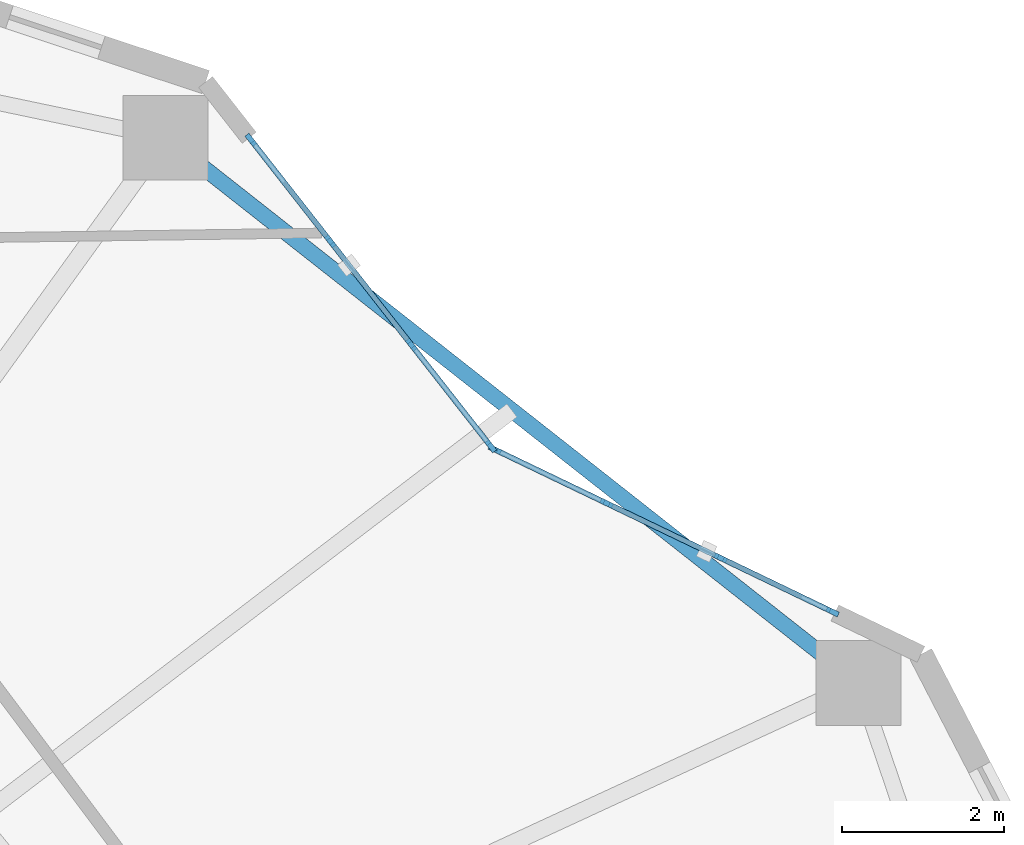
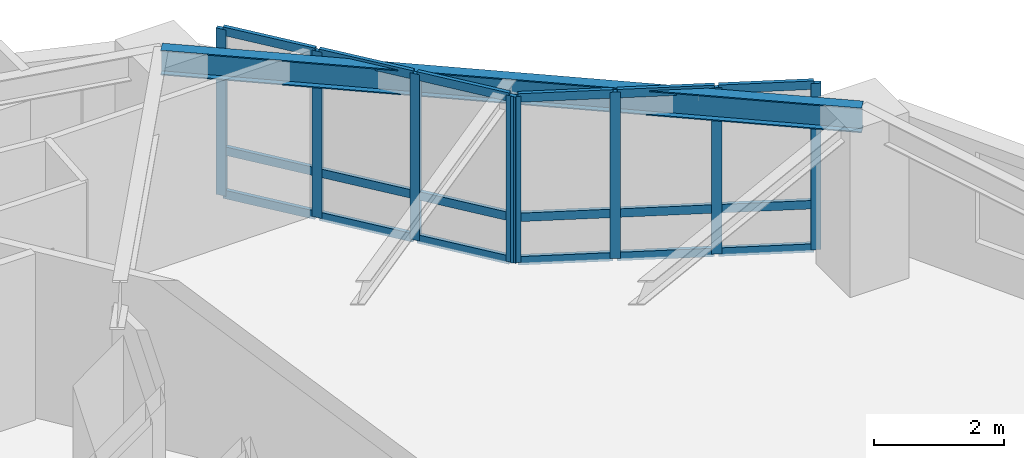
# One storey, part 6 of 19: 26 members, 1 beam, 2 elements without a shape of their own.
"""IFC4 building model written with IfcOpenShell, lengths in metres."""

from ifc_helpers import new_model, si_unit, direction, frame, origin, origin_2d, place, context, subcontext, project, spatial, rectangle, i_section, extrude, material, layer, layer_set, material_profile, profile_set, type_object, element, aggregate, save


model = new_model("IFC4")

# Units and contexts
model_context = context("Model", 3, precision=1e-05, world=origin(), true_north=direction((0.0, 1.0)))
body_context = subcontext(model_context, "Body", "Model", "MODEL_VIEW")
ifc_project = project(units=[si_unit("LENGTHUNIT", "METRE"), si_unit("AREAUNIT", "SQUARE_METRE"), si_unit("VOLUMEUNIT", "CUBIC_METRE"), si_unit("PLANEANGLEUNIT", "RADIAN"), si_unit("MASSUNIT", "GRAM", prefix="KILO")], contexts=[model_context])

# Site, building, storey
site_placement = place(None, origin())
site = spatial("IfcSite", under=ifc_project, at=site_placement, CompositionType="ELEMENT")
building_placement = place(site_placement, origin())
building = spatial("IfcBuilding", under=site, at=building_placement, Name="Kolvaren Gate Tower and Convention Centre", CompositionType="ELEMENT")
storey_placement = place(building_placement, frame((0.0, 0.0, 122.300048828125)))
storey = spatial("IfcBuildingStorey", under=building, at=storey_placement, Name="L30", CompositionType="ELEMENT", Elevation=122.300048828125)

# Curtain wall, members
ifc_material_1 = material(Name="Anodized Architectural Aluminium Alloy 6063-T6", Category="aluminium")
ifc_layer = layer(ifc_material_1, 0.159912109375)
ifc_layer_set = layer_set([ifc_layer], Name="Anodized Architectural Aluminium Alloy 6063-T6")
curtain_wall_type = type_object("IfcCurtainWallType", Name="CW-HTL-UNIT", PredefinedType="NOTDEFINED", material=ifc_layer_set)
curtain_wall_1_placement = place(storey_placement, origin())
curtain_wall_1 = element("IfcCurtainWall", 1, at=curtain_wall_1_placement, inside=storey, type_object=curtain_wall_type, Name="Tower L30 Unitised Curtain Wall CW-HTL-UNIT Bay 02", PredefinedType="NOTDEFINED")
ifc_material_profile_1 = material_profile(ifc_material_1, rectangle(XDim=0.06494140625, YDim=0.159912109375, at=origin_2d()), Name="CW-MEM-MUL-160")
ifc_profile_set_1 = profile_set([ifc_material_profile_1], Name="Anodized Architectural Aluminium Alloy 6063-T6")
member_type_1 = type_object("IfcMemberType", Name="CW-MEM-MUL-160", PredefinedType="MULLION", material=ifc_profile_set_1)
member_1_placement = place(storey_placement, frame((45.798095703125, 39.208984375, 0.0), z_axis=(0.0, 0.0, 1.0), x_axis=(0.433070515205, 0.901360043967, 0.0)))
member_1 = element("IfcMember", 2, at=member_1_placement, type_object=member_type_1, Name="CW-03 mullion 1", PredefinedType="MULLION", context=body_context, shape_type="SweptSolid", body=[
    extrude(rectangle(XDim=0.06494140625, YDim=0.159912109375, at=origin_2d()), origin(), (0.0, 0.0, 1.0), 3.1298828125),
])
member_2_placement = place(storey_placement, frame((47.181396484375, 38.544189453125, 0.0), z_axis=(0.0, 0.0, 1.0), x_axis=(0.433070515205, 0.901360043967, 0.0)))
member_2 = element("IfcMember", 3, at=member_2_placement, type_object=member_type_1, Name="CW-03 mullion 2", PredefinedType="MULLION", context=body_context, shape_type="SweptSolid", body=[
    extrude(rectangle(XDim=0.06494140625, YDim=0.159912109375, at=origin_2d()), origin(), (0.0, 0.0, 1.0), 3.1298828125),
])
member_3_placement = place(storey_placement, frame((48.59423828125, 37.865478515625, 0.0), z_axis=(0.0, 0.0, 1.0), x_axis=(0.433070515205, 0.901360043967, 0.0)))
member_3 = element("IfcMember", 4, at=member_3_placement, type_object=member_type_1, Name="CW-03 mullion 3", PredefinedType="MULLION", context=body_context, shape_type="SweptSolid", body=[
    extrude(rectangle(XDim=0.06494140625, YDim=0.159912109375, at=origin_2d()), origin(), (0.0, 0.0, 1.0), 3.1298828125),
])
member_4_placement = place(storey_placement, frame((49.9775390625, 37.20068359375, 0.0), z_axis=(0.0, 0.0, 1.0), x_axis=(0.433070515205, 0.901360043967, 0.0)))
member_4 = element("IfcMember", 5, at=member_4_placement, type_object=member_type_1, Name="CW-03 mullion 4", PredefinedType="MULLION", context=body_context, shape_type="SweptSolid", body=[
    extrude(rectangle(XDim=0.06494140625, YDim=0.159912109375, at=origin_2d()), origin(), (0.0, 0.0, 1.0), 3.1298828125),
])

curtain_wall_2_placement = place(storey_placement, origin())
curtain_wall_2 = element("IfcCurtainWall", 6, at=curtain_wall_2_placement, inside=storey, type_object=curtain_wall_type, Name="Tower L30 Unitised Curtain Wall CW-HTL-UNIT Bay 03", PredefinedType="NOTDEFINED")
member_5_placement = place(storey_placement, frame((42.77880859375, 43.042236328125, 0.0), z_axis=(0.0, 0.0, 1.0), x_axis=(0.787412940513, 0.616425876414, 0.0)))
member_5 = element("IfcMember", 7, at=member_5_placement, type_object=member_type_1, Name="CW-03 mullion 1", PredefinedType="MULLION", context=body_context, shape_type="SweptSolid", body=[
    extrude(rectangle(XDim=0.06494140625, YDim=0.159912109375, at=origin_2d()), origin(), (0.0, 0.0, 1.0), 3.1298828125),
])
member_6_placement = place(storey_placement, frame((43.76220703125, 41.7861328125, 0.0), z_axis=(0.0, 0.0, 1.0), x_axis=(0.787412940513, 0.616425876414, 0.0)))
member_6 = element("IfcMember", 8, at=member_6_placement, type_object=member_type_1, Name="CW-03 mullion 2", PredefinedType="MULLION", context=body_context, shape_type="SweptSolid", body=[
    extrude(rectangle(XDim=0.06494140625, YDim=0.159912109375, at=origin_2d()), origin(), (0.0, 0.0, 1.0), 3.1298828125),
])
member_7_placement = place(storey_placement, frame((44.765380859375, 40.504638671875, 0.0), z_axis=(0.0, 0.0, 1.0), x_axis=(0.787412940513, 0.616425876414, 0.0)))
member_7 = element("IfcMember", 9, at=member_7_placement, type_object=member_type_1, Name="CW-03 mullion 3", PredefinedType="MULLION", context=body_context, shape_type="SweptSolid", body=[
    extrude(rectangle(XDim=0.06494140625, YDim=0.159912109375, at=origin_2d()), origin(), (0.0, 0.0, 1.0), 3.1298828125),
])
member_8_placement = place(storey_placement, frame((45.748779296875, 39.24853515625, 0.0), z_axis=(0.0, 0.0, 1.0), x_axis=(0.787412940513, 0.616425876414, 0.0)))
member_8 = element("IfcMember", 10, at=member_8_placement, type_object=member_type_1, Name="CW-03 mullion 4", PredefinedType="MULLION", context=body_context, shape_type="SweptSolid", body=[
    extrude(rectangle(XDim=0.06494140625, YDim=0.159912109375, at=origin_2d()), origin(), (0.0, 0.0, 1.0), 3.1298828125),
])

# Member
ifc_material_profile_2 = material_profile(ifc_material_1, rectangle(XDim=0.06494140625, YDim=0.159912109375, at=origin_2d()), Name="CW-MEM-TRN-160")
ifc_profile_set_2 = profile_set([ifc_material_profile_2], Name="Anodized Architectural Aluminium Alloy 6063-T6")
member_type_2 = type_object("IfcMemberType", Name="CW-MEM-TRN-160", PredefinedType="USERDEFINED", material=ifc_profile_set_2)
member_9_placement = place(storey_placement, frame((45.827392578125, 39.19482421875, 0.032470703125), z_axis=(0.901359682886, -0.433071266731, 0.0), x_axis=(0.433071266731, 0.901359682886, 0.0)))
member_9 = element("IfcMember", 11, at=member_9_placement, type_object=member_type_2, Name="CW-03 transom 1.1", ObjectType="TRANSOM", PredefinedType="USERDEFINED", context=body_context, shape_type="SweptSolid", body=[
    extrude(rectangle(XDim=0.06494140625, YDim=0.159912109375, at=origin_2d()), origin(), (0.0, 0.0, 1.0), 1.4697265625),
])

member_10_placement = place(storey_placement, frame((45.827392578125, 39.19482421875, 0.849853515625), z_axis=(0.901359682886, -0.433071266731, 0.0), x_axis=(0.433071266731, 0.901359682886, 0.0)))
member_10 = element("IfcMember", 12, at=member_10_placement, type_object=member_type_2, Name="CW-03 transom 1.2", ObjectType="TRANSOM", PredefinedType="USERDEFINED", context=body_context, shape_type="SweptSolid", body=[
    extrude(rectangle(XDim=0.06494140625, YDim=0.159912109375, at=origin_2d()), origin(), (0.0, 0.0, 1.0), 1.4697265625),
])

member_11_placement = place(storey_placement, frame((45.827392578125, 39.19482421875, 3.097412109375), z_axis=(0.901359682886, -0.433071266731, 0.0), x_axis=(0.433071266731, 0.901359682886, 0.0)))
member_11 = element("IfcMember", 13, at=member_11_placement, type_object=member_type_2, Name="CW-03 transom 1.3", ObjectType="TRANSOM", PredefinedType="USERDEFINED", context=body_context, shape_type="SweptSolid", body=[
    extrude(rectangle(XDim=0.06494140625, YDim=0.159912109375, at=origin_2d()), origin(), (0.0, 0.0, 1.0), 1.4697265625),
])

member_12_placement = place(storey_placement, frame((47.210693359375, 38.5302734375, 0.032470703125), z_axis=(0.901368321762, -0.43305328601, 0.0), x_axis=(0.43305328601, 0.901368321762, 0.0)))
member_12 = element("IfcMember", 14, at=member_12_placement, type_object=member_type_2, Name="CW-03 transom 2.1", ObjectType="TRANSOM", PredefinedType="USERDEFINED", context=body_context, shape_type="SweptSolid", body=[
    extrude(rectangle(XDim=0.06494140625, YDim=0.159912109375, at=origin_2d()), origin(), (0.0, 0.0, 1.0), 1.50244140625),
])

member_13_placement = place(storey_placement, frame((47.210693359375, 38.5302734375, 0.849853515625), z_axis=(0.901368321762, -0.43305328601, 0.0), x_axis=(0.43305328601, 0.901368321762, 0.0)))
member_13 = element("IfcMember", 15, at=member_13_placement, type_object=member_type_2, Name="CW-03 transom 2.2", ObjectType="TRANSOM", PredefinedType="USERDEFINED", context=body_context, shape_type="SweptSolid", body=[
    extrude(rectangle(XDim=0.06494140625, YDim=0.159912109375, at=origin_2d()), origin(), (0.0, 0.0, 1.0), 1.50244140625),
])

member_14_placement = place(storey_placement, frame((47.210693359375, 38.5302734375, 3.097412109375), z_axis=(0.901368321762, -0.43305328601, 0.0), x_axis=(0.43305328601, 0.901368321762, 0.0)))
member_14 = element("IfcMember", 16, at=member_14_placement, type_object=member_type_2, Name="CW-03 transom 2.3", ObjectType="TRANSOM", PredefinedType="USERDEFINED", context=body_context, shape_type="SweptSolid", body=[
    extrude(rectangle(XDim=0.06494140625, YDim=0.159912109375, at=origin_2d()), origin(), (0.0, 0.0, 1.0), 1.50244140625),
])

member_15_placement = place(storey_placement, frame((48.62353515625, 37.851318359375, 0.032470703125), z_axis=(0.901359682886, -0.433071266731, 0.0), x_axis=(0.433071266731, 0.901359682886, 0.0)))
member_15 = element("IfcMember", 17, at=member_15_placement, type_object=member_type_2, Name="CW-03 transom 3.1", ObjectType="TRANSOM", PredefinedType="USERDEFINED", context=body_context, shape_type="SweptSolid", body=[
    extrude(rectangle(XDim=0.06494140625, YDim=0.159912109375, at=origin_2d()), origin(), (0.0, 0.0, 1.0), 1.4697265625),
])

member_16_placement = place(storey_placement, frame((48.62353515625, 37.851318359375, 0.849853515625), z_axis=(0.901359682886, -0.433071266731, 0.0), x_axis=(0.433071266731, 0.901359682886, 0.0)))
member_16 = element("IfcMember", 18, at=member_16_placement, type_object=member_type_2, Name="CW-03 transom 3.2", ObjectType="TRANSOM", PredefinedType="USERDEFINED", context=body_context, shape_type="SweptSolid", body=[
    extrude(rectangle(XDim=0.06494140625, YDim=0.159912109375, at=origin_2d()), origin(), (0.0, 0.0, 1.0), 1.4697265625),
])

member_17_placement = place(storey_placement, frame((48.62353515625, 37.851318359375, 3.097412109375), z_axis=(0.901359682886, -0.433071266731, 0.0), x_axis=(0.433071266731, 0.901359682886, 0.0)))
member_17 = element("IfcMember", 19, at=member_17_placement, type_object=member_type_2, Name="CW-03 transom 3.3", ObjectType="TRANSOM", PredefinedType="USERDEFINED", context=body_context, shape_type="SweptSolid", body=[
    extrude(rectangle(XDim=0.06494140625, YDim=0.159912109375, at=origin_2d()), origin(), (0.0, 0.0, 1.0), 1.4697265625),
])

aggregate(curtain_wall_1, [member_1, member_2, member_3, member_4, member_9, member_10, member_11, member_12, member_13, member_14, member_15, member_16, member_17])

member_18_placement = place(storey_placement, frame((42.798828125, 43.0166015625, 0.032470703125), z_axis=(0.616488928006, -0.78736357653, 0.0), x_axis=(0.78736357653, 0.616488928006, 0.0)))
member_18 = element("IfcMember", 20, at=member_18_placement, type_object=member_type_2, Name="CW-03 transom 1.1", ObjectType="TRANSOM", PredefinedType="USERDEFINED", context=body_context, shape_type="SweptSolid", body=[
    extrude(rectangle(XDim=0.06494140625, YDim=0.159912109375, at=origin_2d()), origin(), (0.0, 0.0, 1.0), 1.5302734375),
])

member_19_placement = place(storey_placement, frame((42.798828125, 43.0166015625, 0.849853515625), z_axis=(0.616488928006, -0.78736357653, 0.0), x_axis=(0.78736357653, 0.616488928006, 0.0)))
member_19 = element("IfcMember", 21, at=member_19_placement, type_object=member_type_2, Name="CW-03 transom 1.2", ObjectType="TRANSOM", PredefinedType="USERDEFINED", context=body_context, shape_type="SweptSolid", body=[
    extrude(rectangle(XDim=0.06494140625, YDim=0.159912109375, at=origin_2d()), origin(), (0.0, 0.0, 1.0), 1.5302734375),
])

member_20_placement = place(storey_placement, frame((42.798828125, 43.0166015625, 3.097412109375), z_axis=(0.616488928006, -0.78736357653, 0.0), x_axis=(0.78736357653, 0.616488928006, 0.0)))
member_20 = element("IfcMember", 22, at=member_20_placement, type_object=member_type_2, Name="CW-03 transom 1.3", ObjectType="TRANSOM", PredefinedType="USERDEFINED", context=body_context, shape_type="SweptSolid", body=[
    extrude(rectangle(XDim=0.06494140625, YDim=0.159912109375, at=origin_2d()), origin(), (0.0, 0.0, 1.0), 1.5302734375),
])

member_21_placement = place(storey_placement, frame((43.7822265625, 41.760498046875, 0.032470703125), z_axis=(0.616447292669, -0.787396174337, 0.0), x_axis=(0.787396174337, 0.616447292669, 0.0)))
member_21 = element("IfcMember", 23, at=member_21_placement, type_object=member_type_2, Name="CW-03 transom 2.1", ObjectType="TRANSOM", PredefinedType="USERDEFINED", context=body_context, shape_type="SweptSolid", body=[
    extrude(rectangle(XDim=0.06494140625, YDim=0.159912109375, at=origin_2d()), origin(), (0.0, 0.0, 1.0), 1.5625),
])

member_22_placement = place(storey_placement, frame((43.7822265625, 41.760498046875, 0.849853515625), z_axis=(0.616447292669, -0.787396174337, 0.0), x_axis=(0.787396174337, 0.616447292669, 0.0)))
member_22 = element("IfcMember", 24, at=member_22_placement, type_object=member_type_2, Name="CW-03 transom 2.2", ObjectType="TRANSOM", PredefinedType="USERDEFINED", context=body_context, shape_type="SweptSolid", body=[
    extrude(rectangle(XDim=0.06494140625, YDim=0.159912109375, at=origin_2d()), origin(), (0.0, 0.0, 1.0), 1.5625),
])

member_23_placement = place(storey_placement, frame((43.7822265625, 41.760498046875, 3.097412109375), z_axis=(0.616447292669, -0.787396174337, 0.0), x_axis=(0.787396174337, 0.616447292669, 0.0)))
member_23 = element("IfcMember", 25, at=member_23_placement, type_object=member_type_2, Name="CW-03 transom 2.3", ObjectType="TRANSOM", PredefinedType="USERDEFINED", context=body_context, shape_type="SweptSolid", body=[
    extrude(rectangle(XDim=0.06494140625, YDim=0.159912109375, at=origin_2d()), origin(), (0.0, 0.0, 1.0), 1.5625),
])

member_24_placement = place(storey_placement, frame((44.785400390625, 40.47900390625, 0.032470703125), z_axis=(0.61639000373, -0.78744102211, 0.0), x_axis=(0.78744102211, 0.61639000373, 0.0)))
member_24 = element("IfcMember", 26, at=member_24_placement, type_object=member_type_2, Name="CW-03 transom 3.1", ObjectType="TRANSOM", PredefinedType="USERDEFINED", context=body_context, shape_type="SweptSolid", body=[
    extrude(rectangle(XDim=0.06494140625, YDim=0.159912109375, at=origin_2d()), origin(), (0.0, 0.0, 1.0), 1.530029296875),
])

member_25_placement = place(storey_placement, frame((44.785400390625, 40.47900390625, 0.849853515625), z_axis=(0.61639000373, -0.78744102211, 0.0), x_axis=(0.78744102211, 0.61639000373, 0.0)))
member_25 = element("IfcMember", 27, at=member_25_placement, type_object=member_type_2, Name="CW-03 transom 3.2", ObjectType="TRANSOM", PredefinedType="USERDEFINED", context=body_context, shape_type="SweptSolid", body=[
    extrude(rectangle(XDim=0.06494140625, YDim=0.159912109375, at=origin_2d()), origin(), (0.0, 0.0, 1.0), 1.530029296875),
])

member_26_placement = place(storey_placement, frame((44.785400390625, 40.47900390625, 3.097412109375), z_axis=(0.61639000373, -0.78744102211, 0.0), x_axis=(0.78744102211, 0.61639000373, 0.0)))
member_26 = element("IfcMember", 28, at=member_26_placement, type_object=member_type_2, Name="CW-03 transom 3.3", ObjectType="TRANSOM", PredefinedType="USERDEFINED", context=body_context, shape_type="SweptSolid", body=[
    extrude(rectangle(XDim=0.06494140625, YDim=0.159912109375, at=origin_2d()), origin(), (0.0, 0.0, 1.0), 1.530029296875),
])

aggregate(curtain_wall_2, [member_5, member_6, member_7, member_8, member_18, member_19, member_20, member_21, member_22, member_23, member_24, member_25, member_26])

# Beam
ifc_material_2 = material(Name="Structural steel ASTM A992 Grade 345 MPa", Category="steel")
ifc_material_profile_3 = material_profile(ifc_material_2, i_section(OverallWidth=0.194091796875, OverallDepth=0.468994140625, WebThickness=0.0126953125, FlangeThickness=0.0205078125, at=origin_2d()), Name="W460X106")
ifc_profile_set_3 = profile_set([ifc_material_profile_3], Name="Structural steel ASTM A992 Grade 345 MPa")
beam_type = type_object("IfcBeamType", Name="STR-SP-W460X106", PredefinedType="SPANDREL", material=ifc_profile_set_3)
beam_placement = place(storey_placement, frame((50.30029296875, 36.318603515625, 2.8955078125), z_axis=(-0.785907610354, 0.618343939881, 0.0), x_axis=(-0.618343939881, -0.785907610354, 0.0)))
element("IfcBeam", 29, at=beam_placement, inside=storey, type_object=beam_type, Name="Tower L30 Perimeter Spandrel Beam SP-02", PredefinedType="SPANDREL", context=body_context, shape_type="SweptSolid", body=[
    extrude(i_section(OverallWidth=0.194091796875, OverallDepth=0.468994140625, WebThickness=0.0126953125, FlangeThickness=0.0205078125, at=origin_2d()), origin(), (0.0, 0.0, 1.0), 10.915771484375),
])

save(model, "model.ifc")
